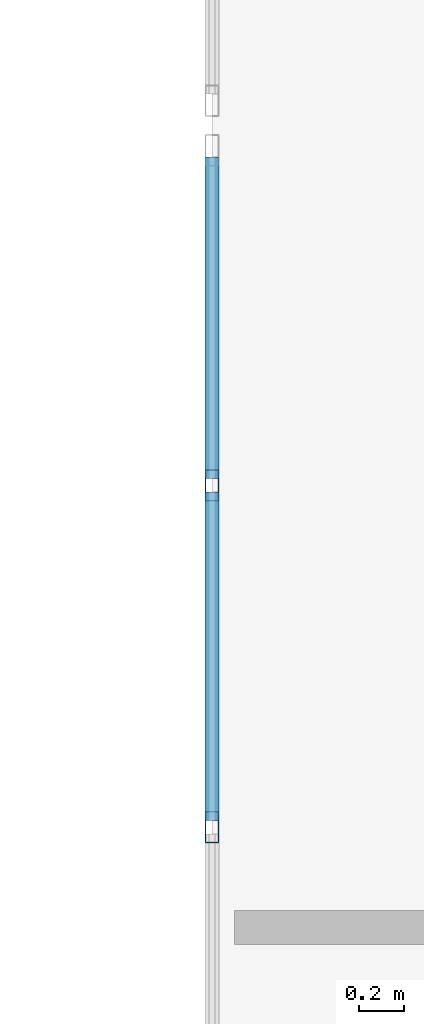
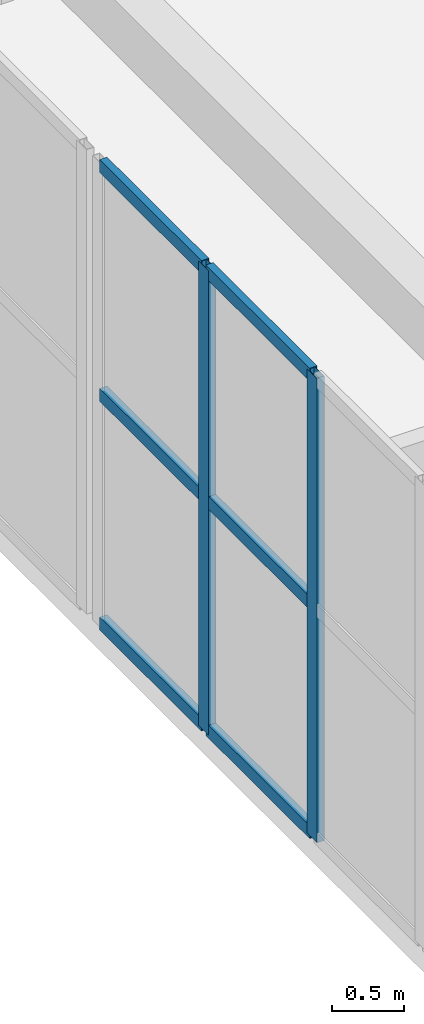
# One storey, part 34 of 81: 8 members, 1 element without a shape of its own.
"""IFC4 building model written with IfcOpenShell, lengths in metres."""

from ifc_helpers import new_model, si_unit, direction, frame, origin, origin_2d, place, context, subcontext, project, spatial, hollow_rectangle, extrude, material, layer, layer_set, material_profile, profile_set, type_object, element, aggregate, save


model = new_model("IFC4")

# Units and contexts
model_context = context("Model", 3, precision=1e-05, world=origin(), true_north=direction((0.0, 1.0)))
body_context = subcontext(model_context, "Body", "Model", "MODEL_VIEW")
ifc_project = project(units=[si_unit("LENGTHUNIT", "METRE"), si_unit("AREAUNIT", "SQUARE_METRE"), si_unit("VOLUMEUNIT", "CUBIC_METRE"), si_unit("PLANEANGLEUNIT", "RADIAN"), si_unit("MASSUNIT", "GRAM", prefix="KILO")], contexts=[model_context])

# Site, building, storey
site_placement = place(None, origin())
site = spatial("IfcSite", under=ifc_project, at=site_placement, CompositionType="ELEMENT")
building_placement = place(site_placement, origin())
building = spatial("IfcBuilding", under=site, at=building_placement, Name="Trelvath General Hospital", CompositionType="ELEMENT")
storey_placement = place(building_placement, frame((0.0, 0.0, 24.60009765625)))
storey = spatial("IfcBuildingStorey", under=building, at=storey_placement, Name="L06", CompositionType="ELEMENT", Elevation=24.60009765625)

# Curtain wall, members
ifc_material_1 = material(Name="Anodised aluminium and low-E glass", Category="aluminium")
ifc_layer = layer(ifc_material_1, 0.139892578125)
ifc_layer_set = layer_set([ifc_layer], Name="Anodised aluminium and low-E glass")
curtain_wall_type = type_object("IfcCurtainWallType", Name="CW CrystalCube 1664 396 14", PredefinedType="USERDEFINED", material=ifc_layer_set)
curtain_wall_placement = place(storey_placement, origin())
curtain_wall = element("IfcCurtainWall", 1, at=curtain_wall_placement, inside=storey, type_object=curtain_wall_type, Name="Crystal Cube Curtain Wall CUBE-W-T2 W2 L06", ObjectType="Unitised Glazed Curtain Wall", PredefinedType="USERDEFINED")
ifc_material_2 = material(Name="Anodised aluminium", Category="aluminium")
ifc_material_profile_1 = material_profile(ifc_material_2, hollow_rectangle(XDim=0.06005859375, YDim=0.139892578125, WallThickness=0.00390625, at=origin_2d()), Name="RHS60x140x4")
ifc_profile_set_1 = profile_set([ifc_material_profile_1], Name="Anodised aluminium")
member_type_1 = type_object("IfcMemberType", Name="CurtainMullion 60x140", PredefinedType="MULLION", material=ifc_profile_set_1)
member_1_placement = place(storey_placement, frame((59.60009765625, 64.094482421875, 0.0), z_axis=(0.0, 0.0, 1.0), x_axis=(-1.0, 0.0, 0.0)))
member_1 = element("IfcMember", 2, at=member_1_placement, type_object=member_type_1, Name="CW-329 mullion 10", PredefinedType="MULLION", context=body_context, shape_type="SweptSolid", body=[
    extrude(hollow_rectangle(XDim=0.06005859375, YDim=0.139892578125, WallThickness=0.00390625, at=origin_2d()), origin(), (0.0, 0.0, 1.0), 3.9599609375),
])
member_2_placement = place(storey_placement, frame((59.60009765625, 65.607177734375, 0.0), z_axis=(0.0, 0.0, 1.0), x_axis=(-1.0, 0.0, 0.0)))
member_2 = element("IfcMember", 3, at=member_2_placement, type_object=member_type_1, Name="CW-329 mullion 11", PredefinedType="MULLION", context=body_context, shape_type="SweptSolid", body=[
    extrude(hollow_rectangle(XDim=0.06005859375, YDim=0.139892578125, WallThickness=0.00390625, at=origin_2d()), origin(), (0.0, 0.0, 1.0), 3.9599609375),
])
ifc_material_3 = material(Name="Anodised aluminium", Category="aluminium")
ifc_material_profile_2 = material_profile(ifc_material_3, hollow_rectangle(XDim=0.06005859375, YDim=0.110107421875, WallThickness=0.00390625, at=origin_2d()), Name="RHS60x110x4")
ifc_profile_set_2 = profile_set([ifc_material_profile_2], Name="Anodised aluminium")
member_type_2 = type_object("IfcMemberType", Name="CurtainTransom 60x110", PredefinedType="USERDEFINED", material=ifc_profile_set_2)
member_3_placement = place(storey_placement, frame((59.60009765625, 64.12451171875, 0.02978515625), z_axis=(0.0, 1.0, 0.0), x_axis=(-1.0, 0.0, 0.0)))
member_3 = element("IfcMember", 4, at=member_3_placement, type_object=member_type_2, Name="CW-329 transom 10.1", ObjectType="TRANSOM", PredefinedType="USERDEFINED", context=body_context, shape_type="SweptSolid", body=[
    extrude(hollow_rectangle(XDim=0.06005859375, YDim=0.110107421875, WallThickness=0.00390625, at=origin_2d()), origin(), (0.0, 0.0, 1.0), 1.452880859375),
])
member_4_placement = place(storey_placement, frame((59.60009765625, 64.12451171875, 1.97998046875), z_axis=(0.0, 1.0, 0.0), x_axis=(-1.0, 0.0, 0.0)))
member_4 = element("IfcMember", 5, at=member_4_placement, type_object=member_type_2, Name="CW-329 transom 10.2", ObjectType="TRANSOM", PredefinedType="USERDEFINED", context=body_context, shape_type="SweptSolid", body=[
    extrude(hollow_rectangle(XDim=0.06005859375, YDim=0.110107421875, WallThickness=0.00390625, at=origin_2d()), origin(), (0.0, 0.0, 1.0), 1.452880859375),
])
member_5_placement = place(storey_placement, frame((59.60009765625, 64.12451171875, 3.929931640625), z_axis=(0.0, 1.0, 0.0), x_axis=(-1.0, 0.0, 0.0)))
member_5 = element("IfcMember", 6, at=member_5_placement, type_object=member_type_2, Name="CW-329 transom 10.3", ObjectType="TRANSOM", PredefinedType="USERDEFINED", context=body_context, shape_type="SweptSolid", body=[
    extrude(hollow_rectangle(XDim=0.06005859375, YDim=0.110107421875, WallThickness=0.00390625, at=origin_2d()), origin(), (0.0, 0.0, 1.0), 1.452880859375),
])
member_6_placement = place(storey_placement, frame((59.60009765625, 65.63720703125, 0.02978515625), z_axis=(0.0, 1.0, 0.0), x_axis=(-1.0, 0.0, 0.0)))
member_6 = element("IfcMember", 7, at=member_6_placement, type_object=member_type_2, Name="CW-329 transom 11.1", ObjectType="TRANSOM", PredefinedType="USERDEFINED", context=body_context, shape_type="SweptSolid", body=[
    extrude(hollow_rectangle(XDim=0.06005859375, YDim=0.110107421875, WallThickness=0.00390625, at=origin_2d()), origin(), (0.0, 0.0, 1.0), 1.4228515625),
])
member_7_placement = place(storey_placement, frame((59.60009765625, 65.63720703125, 1.97998046875), z_axis=(0.0, 1.0, 0.0), x_axis=(-1.0, 0.0, 0.0)))
member_7 = element("IfcMember", 8, at=member_7_placement, type_object=member_type_2, Name="CW-329 transom 11.2", ObjectType="TRANSOM", PredefinedType="USERDEFINED", context=body_context, shape_type="SweptSolid", body=[
    extrude(hollow_rectangle(XDim=0.06005859375, YDim=0.110107421875, WallThickness=0.00390625, at=origin_2d()), origin(), (0.0, 0.0, 1.0), 1.4228515625),
])
member_8_placement = place(storey_placement, frame((59.60009765625, 65.63720703125, 3.929931640625), z_axis=(0.0, 1.0, 0.0), x_axis=(-1.0, 0.0, 0.0)))
member_8 = element("IfcMember", 9, at=member_8_placement, type_object=member_type_2, Name="CW-329 transom 11.3", ObjectType="TRANSOM", PredefinedType="USERDEFINED", context=body_context, shape_type="SweptSolid", body=[
    extrude(hollow_rectangle(XDim=0.06005859375, YDim=0.110107421875, WallThickness=0.00390625, at=origin_2d()), origin(), (0.0, 0.0, 1.0), 1.4228515625),
])
aggregate(curtain_wall, [member_1, member_2, member_3, member_4, member_5, member_6, member_7, member_8])

save(model, "model.ifc")
